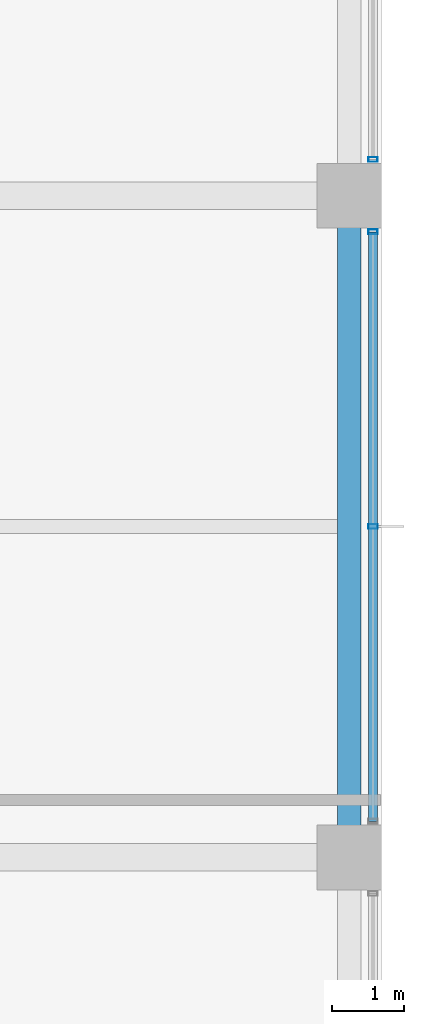
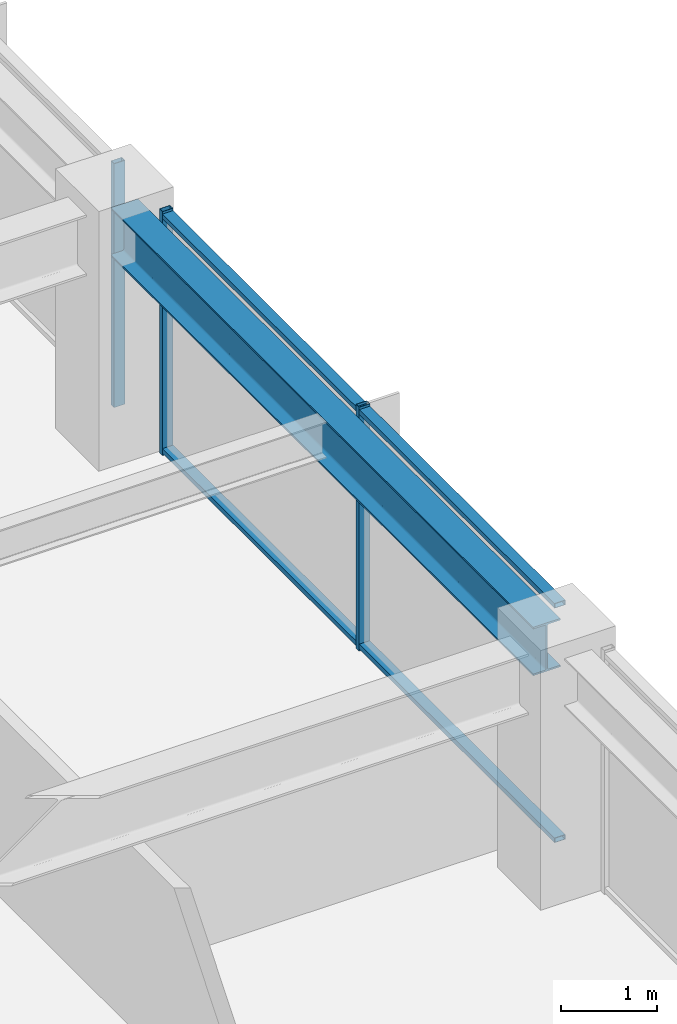
# One storey, part 14 of 31: 5 members, 1 beam, 2 elements without a shape of their own.
"""IFC4 building model written with IfcOpenShell, lengths in metres."""

from ifc_helpers import new_model, si_unit, direction, frame, origin, origin_2d, place, context, subcontext, project, spatial, hollow_rectangle, i_section, extrude, material, material_profile, profile_set, type_object, element, aggregate, save


model = new_model("IFC4")

# Units and contexts
model_context = context("Model", 3, precision=1e-05, world=origin(), true_north=direction((0.0, 1.0)))
body_context = subcontext(model_context, "Body", "Model", "MODEL_VIEW")
ifc_project = project(units=[si_unit("LENGTHUNIT", "METRE"), si_unit("AREAUNIT", "SQUARE_METRE"), si_unit("VOLUMEUNIT", "CUBIC_METRE"), si_unit("PLANEANGLEUNIT", "RADIAN"), si_unit("MASSUNIT", "GRAM", prefix="KILO")], contexts=[model_context])

# Site, building, storey
site_placement = place(None, origin())
site = spatial("IfcSite", under=ifc_project, at=site_placement, CompositionType="ELEMENT")
building_placement = place(site_placement, origin())
building = spatial("IfcBuilding", under=site, at=building_placement, Name="Kolvaren Belvedere", CompositionType="ELEMENT")
storey_placement = place(building_placement, frame((0.0, 0.0, 131.60009765625)))
storey = spatial("IfcBuildingStorey", under=building, at=storey_placement, Name="L38", CompositionType="ELEMENT", Elevation=131.60009765625)

# Beam
ifc_material_1 = material(Name="Structural steel ASTM A992 Grade 50", Category="steel")
ifc_material_profile_1 = material_profile(ifc_material_1, i_section(OverallWidth=0.324951171875, OverallDepth=0.615966796875, WebThickness=0.013916015625, FlangeThickness=0.021484375, FilletRadius=0.02001953125, at=origin_2d()), Name="W24X117")
ifc_profile_set_1 = profile_set([ifc_material_profile_1], Name="Structural steel ASTM A992 Grade 50")
beam_type = type_object("IfcBeamType", Name="BM-SPAN-W24X117", PredefinedType="SPANDREL", material=ifc_profile_set_1)
beam_placement = place(storey_placement, frame((17.550048828125, -4.3974609375, 2.7919921875), z_axis=(0.0, 1.0, 0.0), x_axis=(-1.0, 0.0, 0.0)))
element("IfcBeam", 1, at=beam_placement, inside=storey, type_object=beam_type, Name="L38 Perimeter Spandrel E2-E3", PredefinedType="SPANDREL", context=body_context, shape_type="SweptSolid", body=[
    extrude(i_section(OverallWidth=0.324951171875, OverallDepth=0.615966796875, WebThickness=0.013916015625, FlangeThickness=0.021484375, FilletRadius=0.02001953125, at=origin_2d()), origin(), (0.0, 0.0, 1.0), 8.794921875),
])

# Curtain wall, member
ifc_material_2 = material(Name="Anodised pale-metal aluminium AA 6063-T6", Category="aluminium")
curtain_wall_type = type_object("IfcCurtainWallType", Name="CW-Z3-WAIST", PredefinedType="NOTDEFINED", material=ifc_material_2)
curtain_wall_1_placement = place(storey_placement, origin())
curtain_wall_1 = element("IfcCurtainWall", 2, at=curtain_wall_1_placement, inside=storey, type_object=curtain_wall_type, Name="L38 Unitised Curtain Wall FCW-L38-E-B1", PredefinedType="NOTDEFINED")
ifc_material_3 = material(Name="Anodised pale-metal aluminium AA 6063-T6", Category="aluminium")
ifc_material_profile_2 = material_profile(ifc_material_3, hollow_rectangle(XDim=0.06494140625, YDim=0.1298828125, WallThickness=0.00390625, at=origin_2d()), Name="ALU-MUL-130X65")
ifc_profile_set_2 = profile_set([ifc_material_profile_2], Name="Anodised pale-metal aluminium AA 6063-T6")
member_type_1 = type_object("IfcMemberType", Name="CW-MUL-130", PredefinedType="MULLION", material=ifc_profile_set_2)
member_1_placement = place(storey_placement, frame((17.8798828125, 5.1025390625, 0.0), z_axis=(0.0, 0.0, 1.0), x_axis=(0.0, 1.0, 0.0)))
member_1 = element("IfcMember", 3, at=member_1_placement, type_object=member_type_1, Name="FCW-L38-E-B1 Unitised Mullion 3", PredefinedType="MULLION", context=body_context, shape_type="SweptSolid", body=[
    extrude(hollow_rectangle(XDim=0.06494140625, YDim=0.1298828125, WallThickness=0.00390625, at=origin_2d()), origin(), (0.0, 0.0, 1.0), 3.099853515625),
])
aggregate(curtain_wall_1, [member_1])

# Curtain wall, members
curtain_wall_2_placement = place(storey_placement, origin())
curtain_wall_2 = element("IfcCurtainWall", 4, at=curtain_wall_2_placement, inside=storey, type_object=curtain_wall_type, Name="L38 Unitised Curtain Wall FCW-L38-E-B2", PredefinedType="NOTDEFINED")
member_2_placement = place(storey_placement, frame((17.8798828125, 4.097412109375, 0.0), z_axis=(0.0, 0.0, 1.0), x_axis=(0.0, 1.0, 0.0)))
member_2 = element("IfcMember", 5, at=member_2_placement, type_object=member_type_1, Name="FCW-L38-E-B2 Unitised Mullion 1", PredefinedType="MULLION", context=body_context, shape_type="SweptSolid", body=[
    extrude(hollow_rectangle(XDim=0.06494140625, YDim=0.1298828125, WallThickness=0.00390625, at=origin_2d()), origin(), (0.0, 0.0, 1.0), 3.099853515625),
])
member_3_placement = place(storey_placement, frame((17.8798828125, 0.0, 0.0), z_axis=(0.0, 0.0, 1.0), x_axis=(0.0, 1.0, 0.0)))
member_3 = element("IfcMember", 6, at=member_3_placement, type_object=member_type_1, Name="FCW-L38-E-B2 Unitised Mullion 2", PredefinedType="MULLION", context=body_context, shape_type="SweptSolid", body=[
    extrude(hollow_rectangle(XDim=0.06494140625, YDim=0.1298828125, WallThickness=0.00390625, at=origin_2d()), origin(), (0.0, 0.0, 1.0), 3.099853515625),
])
ifc_material_4 = material(Name="Anodised pale-metal aluminium AA 6063-T6", Category="aluminium")
ifc_material_profile_3 = material_profile(ifc_material_4, hollow_rectangle(XDim=0.06005859375, YDim=0.1298828125, WallThickness=0.00390625, at=origin_2d()), Name="ALU-TRN-130X60")
ifc_profile_set_3 = profile_set([ifc_material_profile_3], Name="Anodised pale-metal aluminium AA 6063-T6")
member_type_2 = type_object("IfcMemberType", Name="CW-TRN-130", PredefinedType="USERDEFINED", material=ifc_profile_set_3)
member_4_placement = place(storey_placement, frame((17.8798828125, 4.097412109375, 0.059814453125), z_axis=(0.0, -1.0, 0.0), x_axis=(0.0, 0.0, 1.0)))
member_4 = element("IfcMember", 7, at=member_4_placement, type_object=member_type_2, Name="FCW-L38-E-B2 Sill Transom", ObjectType="TRANSOM", PredefinedType="USERDEFINED", context=body_context, shape_type="SweptSolid", body=[
    extrude(hollow_rectangle(XDim=0.06005859375, YDim=0.1298828125, WallThickness=0.00390625, at=origin_2d()), origin(), (0.0, 0.0, 1.0), 8.19482421875),
])
member_5_placement = place(storey_placement, frame((17.8798828125, 4.097412109375, 3.039794921875), z_axis=(0.0, -1.0, 0.0), x_axis=(0.0, 0.0, 1.0)))
member_5 = element("IfcMember", 8, at=member_5_placement, type_object=member_type_2, Name="FCW-L38-E-B2 Head Transom", ObjectType="TRANSOM", PredefinedType="USERDEFINED", context=body_context, shape_type="SweptSolid", body=[
    extrude(hollow_rectangle(XDim=0.06005859375, YDim=0.1298828125, WallThickness=0.00390625, at=origin_2d()), origin(), (0.0, 0.0, 1.0), 8.19482421875),
])
aggregate(curtain_wall_2, [member_2, member_3, member_4, member_5])

save(model, "model.ifc")
